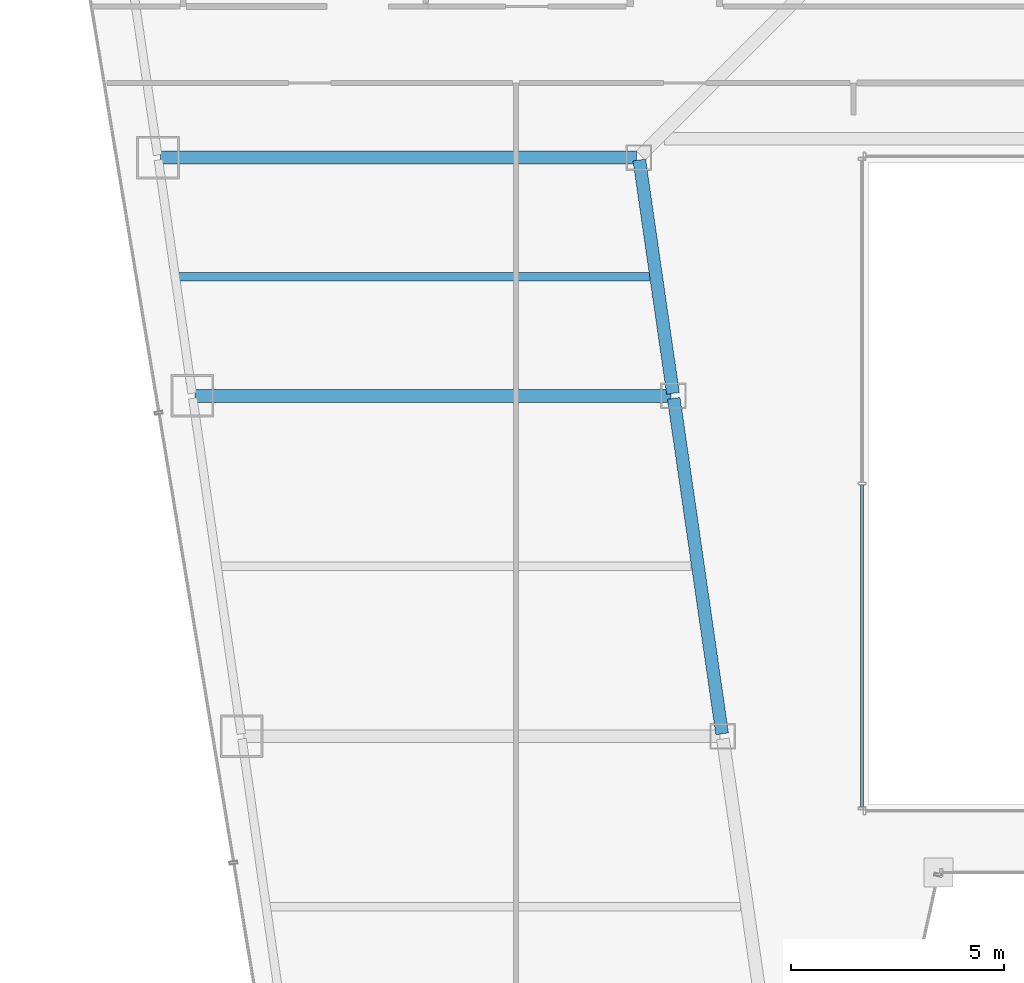
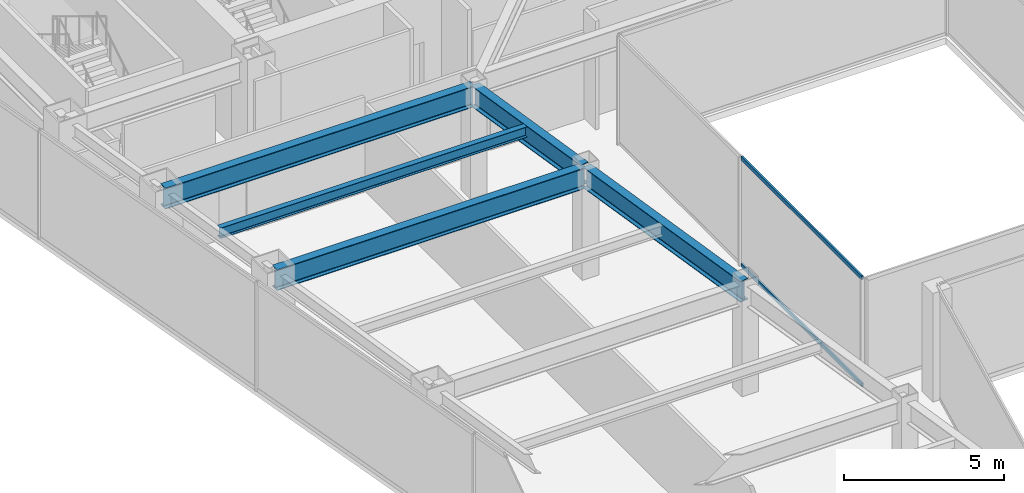
# One storey, part 10 of 37: 5 beams, 2 members, 1 element without a shape of its own.
"""IFC4 building model written with IfcOpenShell, lengths in metres."""

from ifc_helpers import new_model, si_unit, direction, frame, origin, origin_2d, place, context, subcontext, project, spatial, hollow_rectangle, i_section, extrude, material, material_profile, profile_set, type_object, element, aggregate, save


model = new_model("IFC4")

# Units and contexts
model_context = context("Model", 3, precision=1e-05, world=origin(), true_north=direction((0.0, 1.0)))
body_context = subcontext(model_context, "Body", "Model", "MODEL_VIEW")
ifc_project = project(units=[si_unit("LENGTHUNIT", "METRE"), si_unit("AREAUNIT", "SQUARE_METRE"), si_unit("VOLUMEUNIT", "CUBIC_METRE"), si_unit("PLANEANGLEUNIT", "RADIAN"), si_unit("MASSUNIT", "GRAM", prefix="KILO")], contexts=[model_context])

# Site, building, storey
site_placement = place(None, origin())
site = spatial("IfcSite", under=ifc_project, at=site_placement, CompositionType="ELEMENT")
building_placement = place(site_placement, origin())
building = spatial("IfcBuilding", under=site, at=building_placement, Name="Saevonmaru Cultural Tower", CompositionType="ELEMENT")
storey_placement = place(building_placement, frame((0.0, 0.0, 110.39990234375)))
storey = spatial("IfcBuildingStorey", under=building, at=storey_placement, Name="L23", CompositionType="ELEMENT", Elevation=110.39990234375)

# Beams
ifc_material_1 = material(Name="Steel SM420", Category="steel")
ifc_material_profile_1 = material_profile(ifc_material_1, i_section(OverallWidth=0.300048828125, OverallDepth=0.800048828125, WebThickness=0.013916015625, FlangeThickness=0.02587890625, FilletRadius=0.028076171875, at=origin_2d()), Name="H-800x300x14x26")
ifc_profile_set_1 = profile_set([ifc_material_profile_1], Name="Steel SM420")
beam_type_1 = type_object("IfcBeamType", Name="BM-G-H800", PredefinedType="BEAM", material=ifc_profile_set_1)
beam_1_placement = place(storey_placement, frame((20.763427734375, 24.059326171875, 3.75), z_axis=(-0.142902032203, 0.989736838353, 0.0), x_axis=(-0.989736838353, -0.142902032203, 0.0)))
element("IfcBeam", 1, at=beam_1_placement, inside=storey, type_object=beam_type_1, Name="L23 West Atrium Girder 3", PredefinedType="BEAM", context=body_context, shape_type="SweptSolid", body=[
    extrude(i_section(OverallWidth=0.300048828125, OverallDepth=0.800048828125, WebThickness=0.013916015625, FlangeThickness=0.02587890625, FilletRadius=0.028076171875, at=origin_2d()), origin(), (0.0, 0.0, 1.0), 7.963134765625),
])
beam_2_placement = place(storey_placement, frame((19.6083984375, 32.059326171875, 3.75), z_axis=(-0.142964121327, 0.989727871697, 0.0), x_axis=(-0.989727871697, -0.142964121327, 0.0)))
element("IfcBeam", 2, at=beam_2_placement, inside=storey, type_object=beam_type_1, Name="L23 West Atrium Girder 4", PredefinedType="BEAM", context=body_context, shape_type="SweptSolid", body=[
    extrude(i_section(OverallWidth=0.300048828125, OverallDepth=0.800048828125, WebThickness=0.013916015625, FlangeThickness=0.02587890625, FilletRadius=0.028076171875, at=origin_2d()), origin(), (0.0, 0.0, 1.0), 5.5380859375),
])
for number, where, z_axis, x_axis, name in (
    (3, (8.376953125, 32.0, 3.75), (1.0, 0.0, 0.0), (0.0, 1.0, 0.0), "L23 West Wing Transverse Girder 4"),
    (4, (7.568115234375, 37.60009765625, 3.75), (1.0, 0.0, 0.0), (0.0, 1.0, 0.0), "L23 West Wing Transverse Girder 5"),
):
    element("IfcBeam", number, at=place(storey_placement, frame(where, z_axis=z_axis, x_axis=x_axis)), inside=storey, type_object=beam_type_1, Name=name, PredefinedType="BEAM", context=body_context, shape_type="SweptSolid", body=[
        extrude(i_section(OverallWidth=0.300048828125, OverallDepth=0.800048828125, WebThickness=0.013916015625, FlangeThickness=0.02587890625, FilletRadius=0.028076171875, at=origin_2d()), origin(), (0.0, 0.0, 1.0), 11.179931640625),
    ])
ifc_material_2 = material(Name="Steel SM355", Category="steel")
ifc_material_profile_2 = material_profile(ifc_material_2, i_section(OverallWidth=0.199951171875, OverallDepth=0.39990234375, WebThickness=0.008056640625, FlangeThickness=0.012939453125, FilletRadius=0.01611328125, at=origin_2d()), Name="H-400x200x8x13")
ifc_profile_set_2 = profile_set([ifc_material_profile_2], Name="Steel SM355")
beam_type_2 = type_object("IfcBeamType", Name="BM-J-H400", PredefinedType="JOIST", material=ifc_profile_set_2)
beam_3_placement = place(storey_placement, frame((7.972412109375, 34.800048828125, 3.9501953125), z_axis=(1.0, 0.0, 0.0), x_axis=(0.0, 1.0, 0.0)))
element("IfcBeam", 5, at=beam_3_placement, inside=storey, type_object=beam_type_2, Name="L23 West Wing Floor Joist 4", PredefinedType="JOIST", context=body_context, shape_type="SweptSolid", body=[
    extrude(i_section(OverallWidth=0.199951171875, OverallDepth=0.39990234375, WebThickness=0.008056640625, FlangeThickness=0.012939453125, FilletRadius=0.01611328125, at=origin_2d()), origin(), (0.0, 0.0, 1.0), 11.08203125),
])

# Curtain wall, members
ifc_material_3 = material(Name="Satin Bronze Anodised Aluminium", Category="aluminium")
curtain_wall_type = type_object("IfcCurtainWallType", Name="CW-ATR-GLZ", PredefinedType="NOTDEFINED", material=ifc_material_3)
curtain_wall_placement = place(storey_placement, origin())
curtain_wall = element("IfcCurtainWall", 6, at=curtain_wall_placement, inside=storey, type_object=curtain_wall_type, Name="L23 Vertical Atrium Glazed Smoke Screen 4", PredefinedType="NOTDEFINED")
ifc_material_profile_3 = material_profile(ifc_material_3, hollow_rectangle(XDim=0.06494140625, YDim=0.14990234375, WallThickness=0.00390625, at=origin_2d()), Name="ALU-TRAN-150x65x4")
ifc_profile_set_3 = profile_set([ifc_material_profile_3], Name="Satin Bronze Anodised Aluminium")
member_type = type_object("IfcMemberType", Name="TR-CW-INT-150x65", PredefinedType="USERDEFINED", material=ifc_profile_set_3)
member_1_placement = place(storey_placement, frame((24.050048828125, 29.907470703125, 0.03271484375), z_axis=(0.0, -1.0, 0.0), x_axis=(1.0, 0.0, 0.0)))
member_1 = element("IfcMember", 7, at=member_1_placement, type_object=member_type, Name="CW-ATR-L23-4 transom 2.1", ObjectType="TRANSOM", PredefinedType="USERDEFINED", context=body_context, shape_type="SweptSolid", body=[
    extrude(hollow_rectangle(XDim=0.06494140625, YDim=0.14990234375, WallThickness=0.00390625, at=origin_2d()), origin(), (0.0, 0.0, 1.0), 7.56494140625),
])
member_2_placement = place(storey_placement, frame((24.050048828125, 29.907470703125, 4.11767578125), z_axis=(0.0, -1.0, 0.0), x_axis=(1.0, 0.0, 0.0)))
member_2 = element("IfcMember", 8, at=member_2_placement, type_object=member_type, Name="CW-ATR-L23-4 transom 2.2", ObjectType="TRANSOM", PredefinedType="USERDEFINED", context=body_context, shape_type="SweptSolid", body=[
    extrude(hollow_rectangle(XDim=0.06494140625, YDim=0.14990234375, WallThickness=0.00390625, at=origin_2d()), origin(), (0.0, 0.0, 1.0), 7.56494140625),
])
aggregate(curtain_wall, [member_1, member_2])

save(model, "model.ifc")
